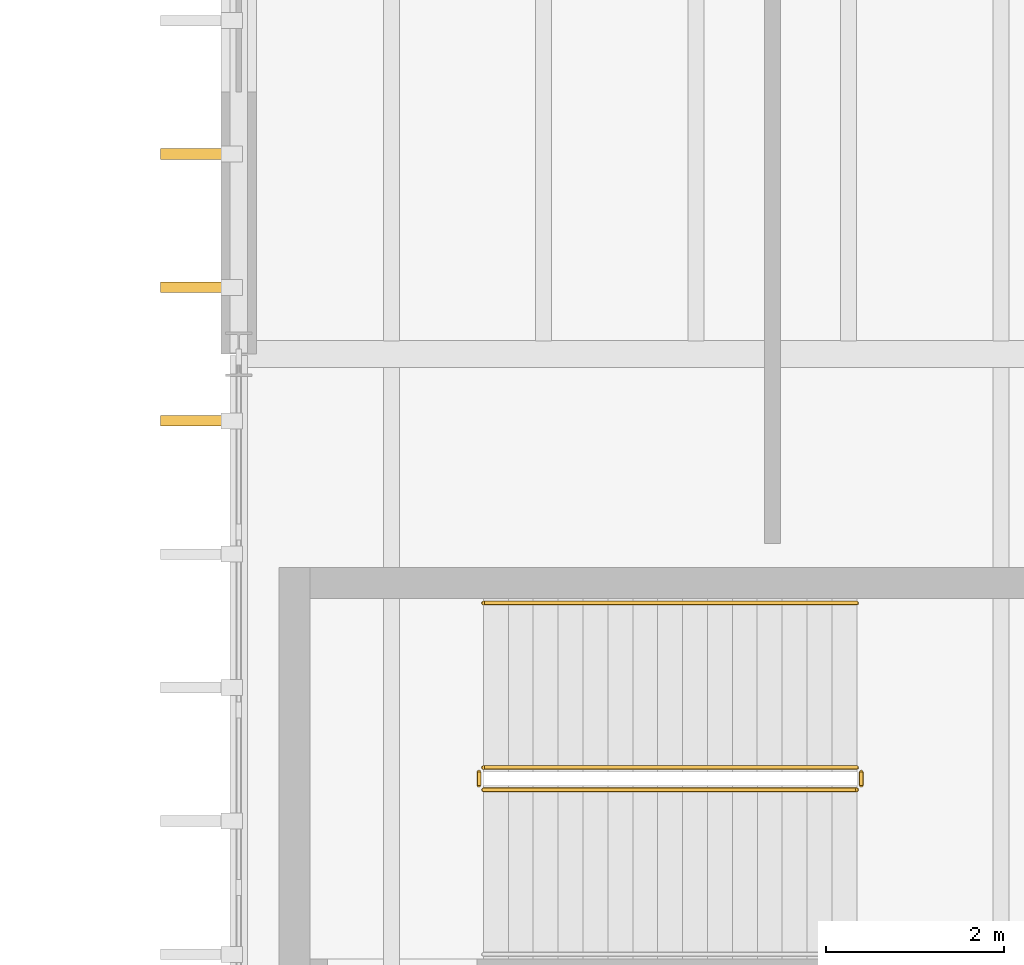
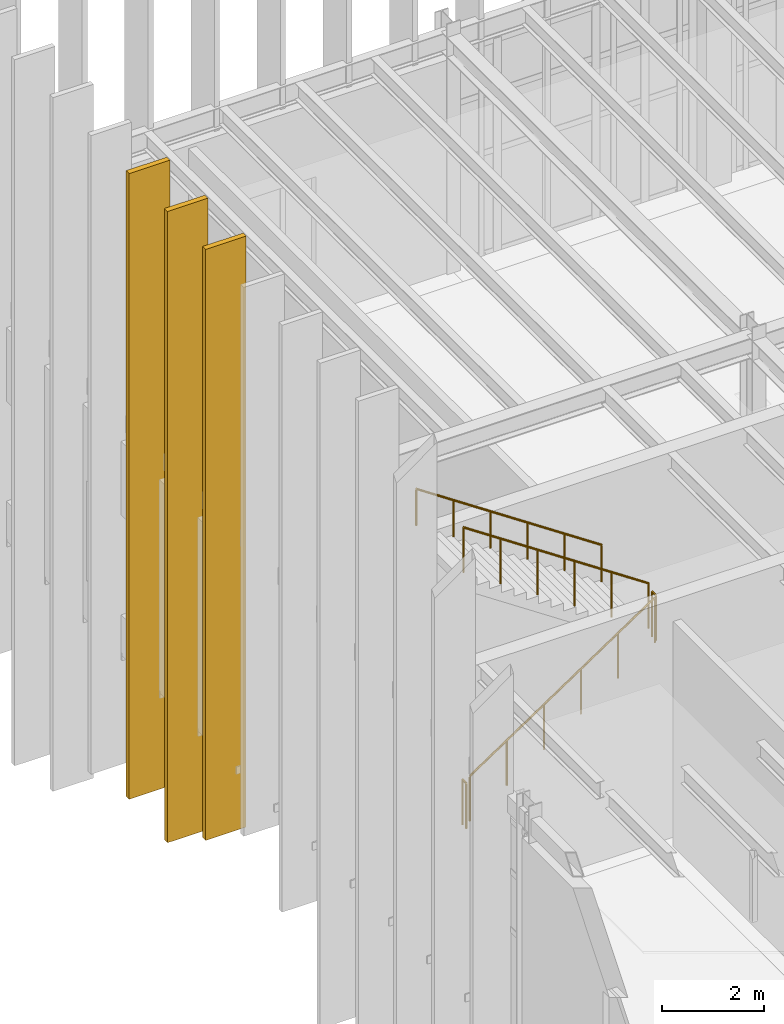
# One storey, part 62 of 83: 5 railings, 3 coverings.
"""IFC4 building model written with IfcOpenShell, lengths in metres."""

import ifcopenshell
import ifcopenshell.guid

model = None  # the IFC model being written
_history = None  # IfcOwnerHistory: only IFC2X3 demands one
_inside = {}  # id of a spatial element -> (the spatial element, [elements in it])
_under = {}  # id of a project, library or spatial element -> (it, [spatial elements below it])
_declared = {}  # id of a project -> (the project, [libraries it declares])
_typed = {}  # id of a type object -> (the type object, [elements of that type])
_made_of = {}  # id of a material, layer set ... -> (it, [elements and type objects made of it])


def new_model(schema):
    """Start an empty IFC model of exactly this schema.

    Asked for "IFC4X3", IfcOpenShell would pick the latest addendum, in which some entities
    have other attributes; the version numbers below select the first issue.
    IFC2X3 requires an IfcOwnerHistory on every rooted entity: one is made here for all.
    """
    global model, _history
    if schema == "IFC4X3":
        model = ifcopenshell.file(schema_version=(4, 3, 0, 0))
    else:
        model = ifcopenshell.file(schema=schema)
    _inside.clear()
    _under.clear()
    _declared.clear()
    _typed.clear()
    _made_of.clear()
    _history = None
    if model.schema == "IFC2X3":
        org = make("IfcOrganization", Name="unknown")
        user = make(
            "IfcPersonAndOrganization",
            ThePerson=make("IfcPerson", FamilyName="unknown"),
            TheOrganization=org,
        )
        app = make(
            "IfcApplication",
            ApplicationDeveloper=org,
            Version="unknown",
            ApplicationFullName="unknown",
            ApplicationIdentifier="unknown",
        )
        _history = make(
            "IfcOwnerHistory",
            OwningUser=user,
            OwningApplication=app,
            ChangeAction="ADDED",
            CreationDate=0,
        )
    return model


def make(cls, **values):
    """One entity of the class cls with the attributes given. An attribute that is None is left unset."""
    return model.create_entity(
        cls, **{name: value for name, value in values.items() if value is not None}
    )


def rooted(cls, **values):
    """An entity with a GlobalId (a new one), such as an element, a storey or a relation."""
    return make(cls, GlobalId=ifcopenshell.guid.new(), OwnerHistory=_history, **values)


def si_unit(unit_type, name, prefix=None):
    """IfcSIUnit, for example si_unit("LENGTHUNIT", "METRE", prefix="MILLI")."""
    return make("IfcSIUnit", UnitType=unit_type, Prefix=prefix, Name=name)


def assignment(units):
    """IfcUnitAssignment: the units of a project."""
    return None if units is None else make("IfcUnitAssignment", Units=units)


def point(xyz):
    """IfcCartesianPoint."""
    return None if xyz is None else make("IfcCartesianPoint", Coordinates=xyz)


def direction(xyz):
    """IfcDirection."""
    return None if xyz is None else make("IfcDirection", DirectionRatios=xyz)


def frame(location, z_axis=None, x_axis=None):
    """IfcAxis2Placement3D, a coordinate frame: its origin and axes. An axis left out is left unset."""
    return make(
        "IfcAxis2Placement3D",
        Location=point(location),
        Axis=direction(z_axis),
        RefDirection=direction(x_axis),
    )


def frame_2d(location, x_axis=None):
    """IfcAxis2Placement2D, a coordinate frame in the plane: its origin and x axis."""
    return make(
        "IfcAxis2Placement2D", Location=point(location), RefDirection=direction(x_axis)
    )


def origin():
    """The frame at (0, 0, 0) with its axes left unset."""
    return frame((0.0, 0.0, 0.0))


def origin_2d():
    """The frame at (0, 0) in the plane with its x axis left unset."""
    return frame_2d((0.0, 0.0))


def place(relative_to, where):
    """IfcLocalPlacement: puts the frame where relative to a parent placement (None: the world)."""
    return make(
        "IfcLocalPlacement", PlacementRelTo=relative_to, RelativePlacement=where
    )


def context(
    kind, dimensions, precision=None, world=None, true_north=None, identifier=None
):
    """IfcGeometricRepresentationContext, for example the 3D "Model" context."""
    return make(
        "IfcGeometricRepresentationContext",
        ContextIdentifier=identifier,
        ContextType=kind,
        CoordinateSpaceDimension=dimensions,
        Precision=precision,
        WorldCoordinateSystem=world,
        TrueNorth=true_north,
    )


def subcontext(parent, identifier, kind, view, scale=None):
    """IfcGeometricRepresentationSubContext, for example "Body" below "Model"."""
    return make(
        "IfcGeometricRepresentationSubContext",
        ContextIdentifier=identifier,
        ContextType=kind,
        ParentContext=parent,
        TargetScale=scale,
        TargetView=view,
    )


def project(units=None, contexts=None):
    """IfcProject with its units and contexts."""
    return rooted(
        "IfcProject",
        Name="project",
        RepresentationContexts=contexts,
        UnitsInContext=assignment(units),
    )


def spatial(cls, under=None, at=None, **own):
    """A site, building, storey or space (cls), placed at a placement, below another one or the project."""
    s = rooted(cls, ObjectPlacement=at, **own)
    if under is not None:
        _under.setdefault(under.id(), (under, []))[1].append(s)
    return s


def polyline(points):
    """IfcPolyline through the points."""
    return make("IfcPolyline", Points=[point(p) for p in points])


def profile(cls, at=None, kind="AREA", **sizes):
    """A parametric profile (cls). Its sizes go by their IFC names, for example OverallWidth=200.0."""
    return make(cls, ProfileType=kind, Position=at, **sizes)


def circle(**sizes):
    """IfcCircleProfileDef."""
    return profile("IfcCircleProfileDef", **sizes)


def outline(outer, holes=None, kind="AREA"):
    """IfcArbitraryClosedProfileDef: a profile drawn as a closed curve; with holes, ...WithVoids."""
    if holes is None:
        return make("IfcArbitraryClosedProfileDef", ProfileType=kind, OuterCurve=outer)
    return make(
        "IfcArbitraryProfileDefWithVoids",
        ProfileType=kind,
        OuterCurve=outer,
        InnerCurves=holes,
    )


def extrude(swept, where, along, depth):
    """IfcExtrudedAreaSolid: the profile swept, set in the frame where, extruded along a direction by depth."""
    return make(
        "IfcExtrudedAreaSolid",
        SweptArea=swept,
        Position=where,
        ExtrudedDirection=direction(along),
        Depth=depth,
    )


def shape(context_of_items, identifier, shape_type, items):
    """IfcShapeRepresentation: the items that make up one representation, for example the "Body"."""
    return make(
        "IfcShapeRepresentation",
        ContextOfItems=context_of_items,
        RepresentationIdentifier=identifier,
        RepresentationType=shape_type,
        Items=items,
    )


def material(Name=None, Category=None):
    """IfcMaterial."""
    return make("IfcMaterial", Name=Name, Category=Category)


def layer(
    of_material, thickness, ventilated=None, Name=None, Category=None, Priority=None
):
    """IfcMaterialLayer: one layer of a wall or slab, of a material (None: an air gap)."""
    return make(
        "IfcMaterialLayer",
        Material=of_material,
        LayerThickness=thickness,
        IsVentilated=ventilated,
        Name=Name,
        Category=Category,
        Priority=Priority,
    )


def layer_set(layers, Name=None):
    """IfcMaterialLayerSet."""
    return make("IfcMaterialLayerSet", MaterialLayers=layers, LayerSetName=Name)


def made_of(thing, what):
    """Note that an element or type object is made of a material, layer set ...; save() writes the relation."""
    if what is not None:
        _made_of.setdefault(what.id(), (what, []))[1].append(thing)
    return thing


def type_object(cls, material=None, **own):
    """A type object (cls), such as IfcWallType, which elements share."""
    return made_of(rooted(cls, **own), material)


def element(
    cls,
    number,
    at=None,
    inside=None,
    cuts=None,
    type_object=None,
    material=None,
    context=None,
    identifier="Body",
    shape_type=None,
    held_by="IfcProductDefinitionShape",
    body=None,
    shapes=None,
    **own,
):
    """One element of the class cls, such as IfcWall. Its Tag is "e" and its number.

    at: its placement. inside: the storey or other place that contains it. cuts: it is an
    opening in that element (IfcRelVoidsElement). A single representation is given by context,
    identifier, shape_type and body (its items); several are given by shapes. held_by: the class
    of the entity that holds the representations. save() writes the other relations.
    """
    e = rooted(cls, Tag="e%d" % number, ObjectPlacement=at, **own)
    if body is not None:
        shapes = [shape(context, identifier, shape_type, body)]
    if shapes is not None:
        e.Representation = make(held_by, Representations=shapes)
    if inside is not None:
        _inside.setdefault(inside.id(), (inside, []))[1].append(e)
    if cuts is not None:
        rooted(
            "IfcRelVoidsElement", RelatingBuildingElement=cuts, RelatedOpeningElement=e
        )
    if type_object is not None:
        _typed.setdefault(type_object.id(), (type_object, []))[1].append(e)
    return made_of(e, material)


def aggregate(whole, parts):
    """IfcRelAggregates: a whole, such as a stair, and the parts it consists of."""
    return rooted("IfcRelAggregates", RelatingObject=whole, RelatedObjects=parts)


def save(model, path):
    """Write the relations noted so far, then the file.

    IfcRelAggregates (storeys below a building ...), IfcRelContainedInSpatialStructure (elements
    in a storey), IfcRelDefinesByType, IfcRelAssociatesMaterial and IfcRelDeclares: one each for
    every whole, place, type object, material and project.
    """
    for whole, parts in _under.values():
        aggregate(whole, parts)
    for where, things in _inside.values():
        rooted(
            "IfcRelContainedInSpatialStructure",
            RelatedElements=things,
            RelatingStructure=where,
        )
    for kind, things in _typed.values():
        rooted("IfcRelDefinesByType", RelatedObjects=things, RelatingType=kind)
    for what, things in _made_of.values():
        rooted("IfcRelAssociatesMaterial", RelatedObjects=things, RelatingMaterial=what)
    for by, libraries in _declared.values():
        rooted("IfcRelDeclares", RelatingContext=by, RelatedDefinitions=libraries)
    model.write(path)


model = new_model("IFC4")

# Units and contexts
model_context = context("Model", 3, precision=1e-05, world=origin(), true_north=direction((0.0, 1.0)))
body_context = subcontext(model_context, "Body", "Model", "MODEL_VIEW")
ifc_project = project(units=[si_unit("LENGTHUNIT", "METRE"), si_unit("AREAUNIT", "SQUARE_METRE"), si_unit("VOLUMEUNIT", "CUBIC_METRE"), si_unit("PLANEANGLEUNIT", "RADIAN"), si_unit("MASSUNIT", "GRAM", prefix="KILO")], contexts=[model_context])

# Site, building, storey
site_placement = place(None, origin())
site = spatial("IfcSite", under=ifc_project, at=site_placement, CompositionType="ELEMENT")
building_placement = place(site_placement, origin())
building = spatial("IfcBuilding", under=site, at=building_placement, Name="Zlatogorsky Bluff Art Gallery", CompositionType="ELEMENT")
storey_placement = place(building_placement, frame((0.0, 0.0, 10.800048828125)))
storey = spatial("IfcBuildingStorey", under=building, at=storey_placement, Name="L02", CompositionType="ELEMENT", Elevation=10.800048828125)

# Railings
ifc_material_1 = material(Name="Architectural Bronze and Laminated Glass", Category="glass")
railing_type_1 = type_object("IfcRailingType", Name="Gallery Guard Rail 1100mm", PredefinedType="GUARDRAIL", material=ifc_material_1)
railing_1_placement = place(storey_placement, frame((2.75, 103.10009765625, 0.1875)))
element("IfcRailing", 1, at=railing_1_placement, inside=storey, type_object=railing_type_1, Name="L02 ST-05 stair guard 1", PredefinedType="GUARDRAIL", context=body_context, shape_type="SweptSolid", body=[
    extrude(circle(Radius=0.02392578125, at=origin_2d()), frame((0.0, 0.0, 1.076171875), z_axis=(0.830904186295, 0.0, 0.556415522067), x_axis=(0.0, 1.0, 0.0)), (0.0, 0.0, 1.0), 5.0546875),
    extrude(circle(Radius=0.02099609375, at=origin_2d()), origin(), (0.0, 0.0, 1.0), 1.052001953125),
    extrude(circle(Radius=0.02099609375, at=origin_2d()), frame((0.840087890625, 0.0, 0.5625)), (0.0, 0.0, 1.0), 1.052001953125),
    extrude(circle(Radius=0.02099609375, at=origin_2d()), frame((1.679931640625, 0.0, 1.125)), (0.0, 0.0, 1.0), 1.052001953125),
    extrude(circle(Radius=0.02099609375, at=origin_2d()), frame((2.52001953125, 0.0, 1.6875)), (0.0, 0.0, 1.0), 1.052001953125),
    extrude(circle(Radius=0.02099609375, at=origin_2d()), frame((3.35986328125, 0.0, 2.25)), (0.0, 0.0, 1.0), 1.052001953125),
    extrude(circle(Radius=0.02099609375, at=origin_2d()), frame((4.199951171875, 0.0, 2.8125)), (0.0, 0.0, 1.0), 1.052001953125),
])
railing_2_placement = place(storey_placement, frame((7.0, 103.14990234375, 3.0)))
element("IfcRailing", 2, at=railing_2_placement, inside=storey, type_object=railing_type_1, Name="L02 ST-05 stair guard 2", PredefinedType="GUARDRAIL", context=body_context, shape_type="SweptSolid", body=[
    extrude(circle(Radius=0.02392578125, at=origin_2d()), frame((0.0, 0.0, 1.076171875), z_axis=(0.0, 1.0, 0.0), x_axis=(-1.0, 0.0, 0.0)), (0.0, 0.0, 1.0), 0.150146484375),
    extrude(circle(Radius=0.02099609375, at=origin_2d()), origin(), (0.0, 0.0, 1.0), 1.052001953125),
    extrude(circle(Radius=0.02099609375, at=origin_2d()), frame((0.0, 0.150146484375, 0.0)), (0.0, 0.0, 1.0), 1.052001953125),
])
railing_3_placement = place(storey_placement, frame((6.949951171875, 103.35009765625, 3.1875)))
element("IfcRailing", 3, at=railing_3_placement, inside=storey, type_object=railing_type_1, Name="L02 ST-05 stair guard 3", PredefinedType="GUARDRAIL", context=body_context, shape_type="SweptSolid", body=[
    extrude(circle(Radius=0.02392578125, at=origin_2d()), frame((0.0, 0.0, 1.076171875), z_axis=(-0.830904186295, 0.0, 0.556415522067), x_axis=(0.0, -1.0, 0.0)), (0.0, 0.0, 1.0), 5.0546875),
    extrude(circle(Radius=0.02099609375, at=origin_2d()), origin(), (0.0, 0.0, 1.0), 1.052001953125),
    extrude(circle(Radius=0.02099609375, at=origin_2d()), frame((-0.840087890625, 0.0, 0.5625)), (0.0, 0.0, 1.0), 1.052001953125),
    extrude(circle(Radius=0.02099609375, at=origin_2d()), frame((-1.679931640625, 0.0, 1.125)), (0.0, 0.0, 1.0), 1.052001953125),
    extrude(circle(Radius=0.02099609375, at=origin_2d()), frame((-2.52001953125, 0.0, 1.6875)), (0.0, 0.0, 1.0), 1.052001953125),
    extrude(circle(Radius=0.02099609375, at=origin_2d()), frame((-3.35986328125, 0.0, 2.25)), (0.0, 0.0, 1.0), 1.052001953125),
    extrude(circle(Radius=0.02099609375, at=origin_2d()), frame((-4.199951171875, 0.0, 2.8125)), (0.0, 0.0, 1.0), 1.052001953125),
])
railing_4_placement = place(storey_placement, frame((2.699951171875, 103.14990234375, 0.0)))
element("IfcRailing", 4, at=railing_4_placement, inside=storey, type_object=railing_type_1, Name="L02 ST-05 stair guard 4", PredefinedType="GUARDRAIL", context=body_context, shape_type="SweptSolid", body=[
    extrude(circle(Radius=0.02392578125, at=origin_2d()), frame((0.0, 0.0, 1.076171875), z_axis=(0.0, 1.0, 0.0), x_axis=(-1.0, 0.0, 0.0)), (0.0, 0.0, 1.0), 0.150146484375),
    extrude(circle(Radius=0.02099609375, at=origin_2d()), origin(), (0.0, 0.0, 1.0), 1.052001953125),
    extrude(circle(Radius=0.02099609375, at=origin_2d()), frame((0.0, 0.150146484375, 0.0)), (0.0, 0.0, 1.0), 1.052001953125),
])
ifc_material_2 = material(Name="Brushed Stainless Steel", Category="steel")
railing_type_2 = type_object("IfcRailingType", Name="Stair Pitch Handrail 900mm", PredefinedType="HANDRAIL", material=ifc_material_2)
railing_5_placement = place(storey_placement, frame((6.949951171875, 105.199951171875, 3.1875)))
element("IfcRailing", 5, at=railing_5_placement, inside=storey, type_object=railing_type_2, Name="L02 ST-05 stair handrail 2", PredefinedType="HANDRAIL", context=body_context, shape_type="SweptSolid", body=[
    extrude(circle(Radius=0.02392578125, at=origin_2d()), frame((0.0, 0.0, 0.8759765625), z_axis=(-0.830904186295, 0.0, 0.556415522067), x_axis=(0.0, -1.0, 0.0)), (0.0, 0.0, 1.0), 5.0546875),
    extrude(circle(Radius=0.02099609375, at=origin_2d()), origin(), (0.0, 0.0, 1.0), 0.851806640625),
    extrude(circle(Radius=0.02099609375, at=origin_2d()), frame((-0.840087890625, 0.0, 0.5625)), (0.0, 0.0, 1.0), 0.851806640625),
    extrude(circle(Radius=0.02099609375, at=origin_2d()), frame((-1.679931640625, 0.0, 1.125)), (0.0, 0.0, 1.0), 0.851806640625),
    extrude(circle(Radius=0.02099609375, at=origin_2d()), frame((-2.52001953125, 0.0, 1.6875)), (0.0, 0.0, 1.0), 0.851806640625),
    extrude(circle(Radius=0.02099609375, at=origin_2d()), frame((-3.35986328125, 0.0, 2.25)), (0.0, 0.0, 1.0), 0.851806640625),
    extrude(circle(Radius=0.02099609375, at=origin_2d()), frame((-4.199951171875, 0.0, 2.8125)), (0.0, 0.0, 1.0), 0.851806640625),
])

# Coverings
ifc_material_3 = material(Name="Patinated Architectural Bronze Fin", Category="metal")
ifc_layer = layer(ifc_material_3, 0.110107421875)
ifc_layer_set = layer_set([ifc_layer], Name="Vertical Gallery Fin FIN-01")
covering_type = type_object("IfcCoveringType", Name="Vertical Gallery Fin FIN-01", PredefinedType="CLADDING", material=ifc_layer_set)
covering_1_placement = place(storey_placement, frame((0.0, 0.0, -1.491943359375)))
element("IfcCovering", 6, at=covering_1_placement, inside=storey, type_object=covering_type, Name="Lifted gallery vertical bronze fin W.151", PredefinedType="CLADDING", context=body_context, shape_type="SweptSolid", body=[
    extrude(outline(polyline([(-0.8798828125, 107.18994140625), (0.0400390625, 107.18994140625), (0.0400390625, 107.31005859375), (-0.8798828125, 107.31005859375), (-0.8798828125, 107.18994140625)])), origin(), (0.0, 0.0, 1.0), 14.171875),
])
covering_2_placement = place(storey_placement, frame((0.0, 0.0, -2.45703125)))
element("IfcCovering", 7, at=covering_2_placement, inside=storey, type_object=covering_type, Name="Lifted gallery vertical bronze fin W.152", PredefinedType="CLADDING", context=body_context, shape_type="SweptSolid", body=[
    extrude(outline(polyline([(-0.8798828125, 108.68994140625), (0.0400390625, 108.68994140625), (0.0400390625, 108.81005859375), (-0.8798828125, 108.81005859375), (-0.8798828125, 108.68994140625)])), origin(), (0.0, 0.0, 1.0), 15.136962890625),
])
covering_3_placement = place(storey_placement, frame((0.0, 0.0, -2.322021484375)))
element("IfcCovering", 8, at=covering_3_placement, inside=storey, type_object=covering_type, Name="Lifted gallery vertical bronze fin W.153", PredefinedType="CLADDING", context=body_context, shape_type="SweptSolid", body=[
    extrude(outline(polyline([(-0.8798828125, 110.18994140625), (0.0400390625, 110.18994140625), (0.0400390625, 110.31005859375), (-0.8798828125, 110.31005859375), (-0.8798828125, 110.18994140625)])), origin(), (0.0, 0.0, 1.0), 15.001953125),
])

save(model, "model.ifc")
